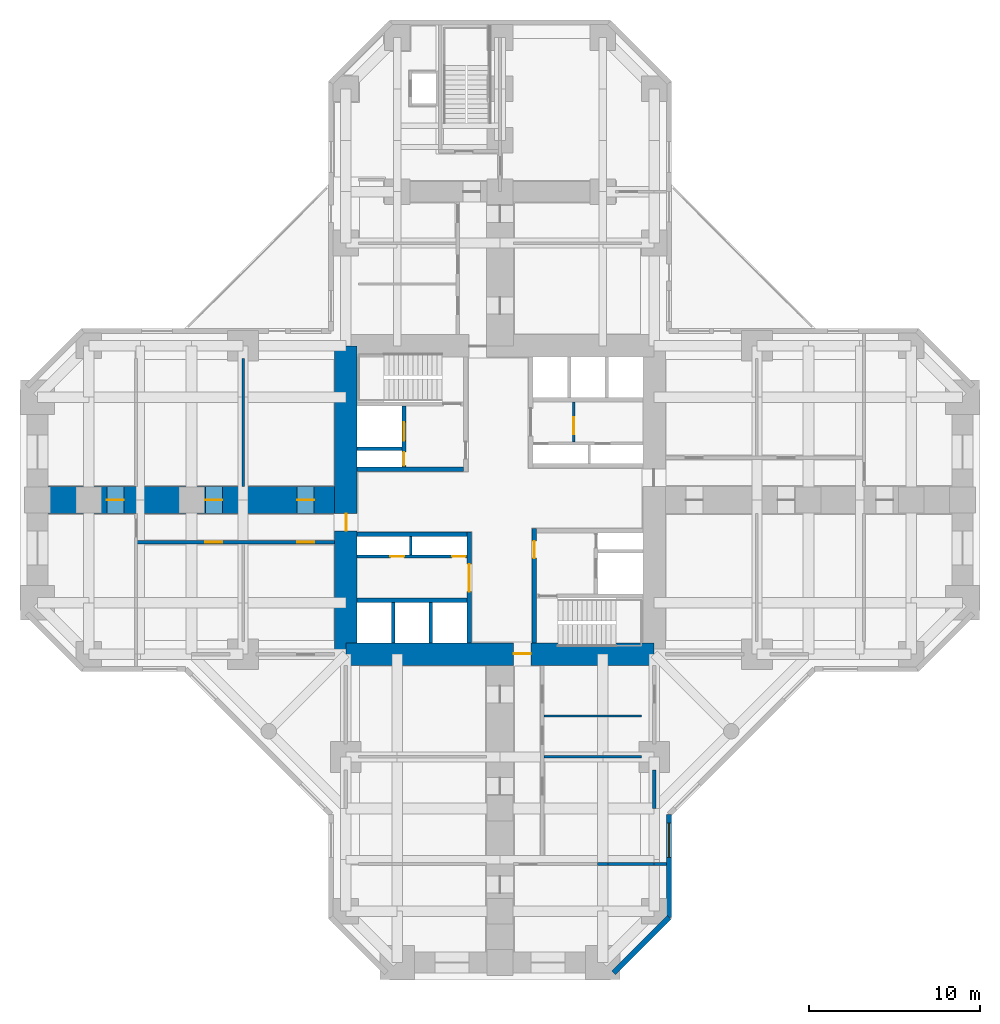
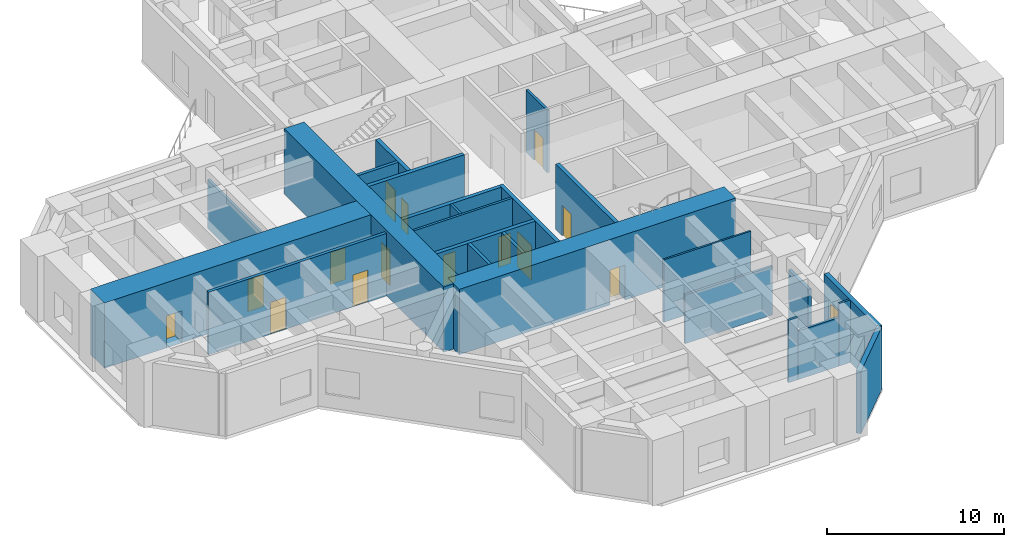
# One storey, part 4 of 10: 25 walls, 14 doors, 1 window, 15 openings.
"""IFC4 building model written with IfcOpenShell, lengths in metres."""

from ifc_helpers import new_model, si_unit, direction, frame, frame_2d, origin, place, context, subcontext, project, spatial, rectangle, hollow_rectangle, extrude, material, layer, layer_set, constituent, constituent_set, type_object, element, fill, save


model = new_model("IFC4")

# Units and contexts
model_context = context("Model", 3, precision=1e-05, world=origin(), true_north=direction((0.0, 1.0)))
body_context = subcontext(model_context, "Body", "Model", "MODEL_VIEW")
ifc_project = project(units=[si_unit("LENGTHUNIT", "METRE"), si_unit("AREAUNIT", "SQUARE_METRE"), si_unit("VOLUMEUNIT", "CUBIC_METRE"), si_unit("PLANEANGLEUNIT", "RADIAN"), si_unit("MASSUNIT", "GRAM", prefix="KILO")], contexts=[model_context])

# Site, building, storey
site_placement = place(None, origin())
site = spatial("IfcSite", under=ifc_project, at=site_placement, CompositionType="ELEMENT")
building_placement = place(site_placement, origin())
building = spatial("IfcBuilding", under=site, at=building_placement, Name="Torre Cruceta", CompositionType="ELEMENT")
storey_placement = place(building_placement, frame((0.0, 0.0, 5.0)))
storey = spatial("IfcBuildingStorey", under=building, at=storey_placement, Name="L01", CompositionType="ELEMENT", Elevation=5.0)

# Wall
ifc_material_1 = material(Name="Concrete G60 (fck 60 MPa)", Category="concrete")
ifc_layer_1 = layer(ifc_material_1, 0.25)
ifc_layer_set_1 = layer_set([ifc_layer_1], Name="Concrete G60 (fck 60 MPa)")
wall_type_1 = type_object("IfcWallType", Name="CORE INNER WALL 250 G60", PredefinedType="SHEAR", material=ifc_layer_set_1)
wall_1_placement = place(storey_placement, frame((-2.125, 1.800048828125, 0.0), z_axis=(0.0, 0.0, 1.0), x_axis=(-1.0, 0.0, 0.0)))
element("IfcWall", 1, at=wall_1_placement, inside=storey, type_object=wall_type_1, Name="CW4 L01 NW-CV", PredefinedType="SHEAR", context=body_context, shape_type="SweptSolid", body=[
    extrude(rectangle(XDim=6.22509765625, YDim=0.25, at=frame_2d((3.112548828125, 0.0))), origin(), (0.0, 0.0, 1.0), 4.5),
])

# Wall, openings, doors
wall_2_placement = place(storey_placement, frame((-5.60009765625, 1.925048828125, 0.0), z_axis=(0.0, 0.0, 1.0), x_axis=(0.0, 1.0, 0.0)))
wall_2 = element("IfcWall", 2, at=wall_2_placement, inside=storey, type_object=wall_type_1, Name="CW4 L01 NW-FU", PredefinedType="SHEAR", context=body_context, shape_type="SweptSolid", body=[
    extrude(rectangle(XDim=3.550048828125, YDim=0.25, at=frame_2d((1.77490234375, 0.0))), origin(), (0.0, 0.0, 1.0), 4.5),
])
opening_1_placement = place(wall_2_placement, frame((1.52490234375, 0.0, 0.0)))
opening_1 = element("IfcOpeningElement", 3, at=opening_1_placement, cuts=wall_2, Name="Opening LD1", PredefinedType="OPENING", context=body_context, shape_type="SweptSolid", body=[
    extrude(rectangle(XDim=1.10009765625, YDim=2.199951171875, at=frame_2d((0.550048828125, 1.10009765625))), frame((0.0, 0.135009765625, 0.0), z_axis=(0.0, -1.0, 0.0), x_axis=(1.0, 0.0, 0.0)), (0.0, 0.0, 1.0), 0.27001953125),
])
opening_2_placement = place(wall_2_placement, frame((0.074951171875, 0.0, 0.0)))
opening_2 = element("IfcOpeningElement", 4, at=opening_2_placement, cuts=wall_2, Name="Opening D5", PredefinedType="OPENING", context=body_context, shape_type="SweptSolid", body=[
    extrude(rectangle(XDim=0.800048828125, YDim=2.10009765625, at=frame_2d((0.39990234375, 1.050048828125))), frame((0.0, 0.135009765625, 0.0), z_axis=(0.0, -1.0, 0.0), x_axis=(1.0, 0.0, 0.0)), (0.0, 0.0, 1.0), 0.27001953125),
])
ifc_material_2 = material(Name="Stainless steel 1.4401", Category="steel")
door_type_1 = type_object("IfcDoorType", Name="LIFT LANDING DOOR 1100X2200", OperationType="DOUBLE_DOOR_SLIDING", PredefinedType="DOOR", material=ifc_material_2)
door_1_placement = place(opening_1_placement, origin())
door_1 = element("IfcDoor", 5, at=door_1_placement, inside=storey, type_object=door_type_1, Name="Lift landing door FL1", OperationType="DOUBLE_DOOR_SLIDING", OverallHeight=2.199951171875, OverallWidth=1.10009765625, PredefinedType="DOOR", context=body_context, shape_type="SweptSolid", body=[
    extrude(rectangle(XDim=1.10009765625, YDim=2.199951171875, at=frame_2d((0.550048828125, 1.10009765625))), frame((0.0, 0.02490234375, 0.0), z_axis=(0.0, -1.0, 0.0), x_axis=(1.0, 0.0, 0.0)), (0.0, 0.0, 1.0), 0.050048828125),
])
fill(opening_1, door_1)
ifc_material_3 = material(Name="Steel DX51D", Category="steel")
ifc_constituent_1 = constituent(ifc_material_3, Name="Leaf and frame")
ifc_material_4 = material(Name="Polyester powder coating", Category="paint")
ifc_constituent_2 = constituent(ifc_material_4, Name="Finish")
ifc_constituent_set_1 = constituent_set(constituents=[ifc_constituent_1, ifc_constituent_2], Name="Steel fire door")
door_type_2 = type_object("IfcDoorType", Name="RISER ACCESS DOOR 800X2100", OperationType="SINGLE_SWING_LEFT", PredefinedType="DOOR", material=ifc_constituent_set_1)
door_2_placement = place(opening_2_placement, origin())
door_2 = element("IfcDoor", 6, at=door_2_placement, inside=storey, type_object=door_type_2, Name="D5 L01 NW-RISER", OperationType="SINGLE_SWING_LEFT", OverallHeight=2.10009765625, OverallWidth=0.800048828125, PredefinedType="DOOR", context=body_context, shape_type="SweptSolid", body=[
    extrude(rectangle(XDim=0.800048828125, YDim=2.10009765625, at=frame_2d((0.39990234375, 1.050048828125))), frame((0.0, 0.02490234375, 0.0), z_axis=(0.0, -1.0, 0.0), x_axis=(1.0, 0.0, 0.0)), (0.0, 0.0, 1.0), 0.050048828125),
])
fill(opening_2, door_2)

# Wall, opening, door
wall_3_placement = place(storey_placement, frame((-1.800048828125, -1.875, 0.0), z_axis=(0.0, 0.0, 1.0), x_axis=(0.0, -1.0, 0.0)))
wall_3 = element("IfcWall", 7, at=wall_3_placement, inside=storey, type_object=wall_type_1, Name="CW4 L01 SW-CU", PredefinedType="SHEAR", context=body_context, shape_type="SweptSolid", body=[
    extrude(rectangle(XDim=6.47509765625, YDim=0.25, at=frame_2d((3.237548828125, 0.0))), origin(), (0.0, 0.0, 1.0), 4.5),
])
opening_3_placement = place(wall_3_placement, frame((1.875, 0.0, 0.0)))
opening_3 = element("IfcOpeningElement", 8, at=opening_3_placement, cuts=wall_3, Name="Opening D15", PredefinedType="OPENING", context=body_context, shape_type="SweptSolid", body=[
    extrude(rectangle(XDim=1.60009765625, YDim=2.39990234375, at=frame_2d((0.800048828125, 1.199951171875))), frame((0.0, 0.135009765625, 0.0), z_axis=(0.0, -1.0, 0.0), x_axis=(1.0, 0.0, 0.0)), (0.0, 0.0, 1.0), 0.27001953125),
])
ifc_material_5 = material(Name="Steel DX51D", Category="steel")
ifc_constituent_3 = constituent(ifc_material_5, Name="Leaf and frame")
ifc_material_6 = material(Name="Polyester powder coating", Category="paint")
ifc_constituent_4 = constituent(ifc_material_6, Name="Finish")
ifc_constituent_set_2 = constituent_set(constituents=[ifc_constituent_3, ifc_constituent_4], Name="Steel fire door")
door_type_3 = type_object("IfcDoorType", Name="CORE ROOM DOUBLE DOOR 1600X2400", OperationType="DOUBLE_DOOR_SINGLE_SWING", PredefinedType="DOOR", material=ifc_constituent_set_2)
door_3_placement = place(opening_3_placement, frame((1.60009765625, 0.0, 0.0), z_axis=(0.0, 0.0, 1.0), x_axis=(-1.0, 0.0, 0.0)))
door_3 = element("IfcDoor", 9, at=door_3_placement, inside=storey, type_object=door_type_3, Name="D15 L01 SW-LOBBY", OperationType="DOUBLE_DOOR_SINGLE_SWING", OverallHeight=2.39990234375, OverallWidth=1.60009765625, PredefinedType="DOOR", context=body_context, shape_type="SweptSolid", body=[
    extrude(rectangle(XDim=1.60009765625, YDim=2.39990234375, at=frame_2d((0.800048828125, 1.199951171875))), frame((0.0, 0.025146484375, 0.0), z_axis=(0.0, -1.0, 0.0), x_axis=(1.0, 0.0, 0.0)), (0.0, 0.0, 1.0), 0.050048828125),
])
fill(opening_3, door_3)

# Walls
for number, where, z_axis, x_axis, name in (
    (10, (-1.925048828125, -2.0, 0.0), (0.0, 0.0, 1.0), (-1.0, 0.0, 0.0), "CW4 L01 SW-CV"),
    (11, (-1.925048828125, -5.85009765625, 0.0), (0.0, 0.0, 1.0), (-1.0, 0.0, 0.0), "CW4 L01 SW-LV"),
):
    element("IfcWall", number, at=place(storey_placement, frame(where, z_axis=z_axis, x_axis=x_axis)), inside=storey, type_object=wall_type_1, Name=name, PredefinedType="SHEAR", context=body_context, shape_type="SweptSolid", body=[
        extrude(rectangle(XDim=6.425048828125, YDim=0.25, at=frame_2d((3.21240234375, 0.0))), origin(), (0.0, 0.0, 1.0), 4.5),
    ])

# Wall, opening, door
wall_4_placement = place(storey_placement, frame((2.0, -1.675048828125, 0.0), z_axis=(0.0, 0.0, 1.0), x_axis=(0.0, -1.0, 0.0)))
wall_4 = element("IfcWall", 12, at=wall_4_placement, inside=storey, type_object=wall_type_1, Name="CW4 L01 SE-CU", PredefinedType="SHEAR", context=body_context, shape_type="SweptSolid", body=[
    extrude(rectangle(XDim=6.675048828125, YDim=0.25, at=frame_2d((3.33740234375, 0.0))), origin(), (0.0, 0.0, 1.0), 4.5),
])
opening_4_placement = place(wall_4_placement, frame((0.72509765625, 0.0, 0.0)))
opening_4 = element("IfcOpeningElement", 13, at=opening_4_placement, cuts=wall_4, Name="Opening D3", PredefinedType="OPENING", context=body_context, shape_type="SweptSolid", body=[
    extrude(rectangle(XDim=1.0, YDim=2.10009765625, at=frame_2d((0.5, 1.050048828125))), frame((0.0, 0.135009765625, 0.0), z_axis=(0.0, -1.0, 0.0), x_axis=(1.0, 0.0, 0.0)), (0.0, 0.0, 1.0), 0.27001953125),
])
ifc_material_7 = material(Name="Steel DX51D", Category="steel")
ifc_constituent_5 = constituent(ifc_material_7, Name="Leaf and frame")
ifc_material_8 = material(Name="Polyester powder coating", Category="paint")
ifc_constituent_6 = constituent(ifc_material_8, Name="Finish")
ifc_constituent_set_3 = constituent_set(constituents=[ifc_constituent_5, ifc_constituent_6], Name="Steel fire door")
door_type_4 = type_object("IfcDoorType", Name="FIRE DOOR 1000X2100", OperationType="SINGLE_SWING_LEFT", PredefinedType="DOOR", material=ifc_constituent_set_3)
door_4_placement = place(opening_4_placement, origin())
door_4 = element("IfcDoor", 14, at=door_4_placement, inside=storey, type_object=door_type_4, Name="D3 L01 SE-LOBBY", OperationType="SINGLE_SWING_LEFT", OverallHeight=2.10009765625, OverallWidth=1.0, PredefinedType="DOOR", context=body_context, shape_type="SweptSolid", body=[
    extrude(rectangle(XDim=1.0, YDim=2.10009765625, at=frame_2d((0.5, 1.050048828125))), frame((0.0, 0.02490234375, 0.0), z_axis=(0.0, -1.0, 0.0), x_axis=(1.0, 0.0, 0.0)), (0.0, 0.0, 1.0), 0.050048828125),
])
fill(opening_4, door_4)

ifc_material_9 = material(Name="Concrete G60 (fck 60 MPa)", Category="concrete")
ifc_layer_2 = layer(ifc_material_9, 1.300048828125)
ifc_layer_set_2 = layer_set([ifc_layer_2], Name="Concrete G60 (fck 60 MPa)")
wall_type_2 = type_object("IfcWallType", Name="CORE WALL 1300 G60", PredefinedType="SHEAR", material=ifc_layer_set_2)
wall_5_placement = place(storey_placement, frame((-9.0, -9.0, 0.0), z_axis=(0.0, 0.0, 1.0), x_axis=(1.0, 0.0, 0.0)))
wall_5 = element("IfcWall", 15, at=wall_5_placement, inside=storey, type_object=wall_type_2, Name="CW1 L01 CW-S", PredefinedType="SHEAR", context=body_context, shape_type="SweptSolid", body=[
    extrude(rectangle(XDim=18.0, YDim=1.300048828125, at=frame_2d((9.0, 0.0))), origin(), (0.0, 0.0, 1.0), 4.5),
])
opening_5_placement = place(wall_5_placement, frame((9.800048828125, 0.0, 0.0)))
opening_5 = element("IfcOpeningElement", 16, at=opening_5_placement, cuts=wall_5, Name="Opening D4", PredefinedType="OPENING", context=body_context, shape_type="SweptSolid", body=[
    extrude(rectangle(XDim=1.0, YDim=2.39990234375, at=frame_2d((0.5, 1.199951171875))), frame((0.0, 0.659912109375, 0.0), z_axis=(0.0, -1.0, 0.0), x_axis=(1.0, 0.0, 0.0)), (0.0, 0.0, 1.0), 1.320068359375),
])
ifc_material_10 = material(Name="Steel DX51D", Category="steel")
ifc_constituent_7 = constituent(ifc_material_10, Name="Leaf and frame")
ifc_material_11 = material(Name="Polyester powder coating", Category="paint")
ifc_constituent_8 = constituent(ifc_material_11, Name="Finish")
ifc_constituent_set_4 = constituent_set(constituents=[ifc_constituent_7, ifc_constituent_8], Name="Steel fire door")
door_type_5 = type_object("IfcDoorType", Name="CORE ARM DOOR 1000X2400", OperationType="SINGLE_SWING_RIGHT", PredefinedType="DOOR", material=ifc_constituent_set_4)
door_5_placement = place(opening_5_placement, origin())
door_5 = element("IfcDoor", 17, at=door_5_placement, inside=storey, type_object=door_type_5, Name="D4 L01 CW-S", OperationType="SINGLE_SWING_RIGHT", OverallHeight=2.39990234375, OverallWidth=1.0, PredefinedType="DOOR", context=body_context, shape_type="SweptSolid", body=[
    extrude(rectangle(XDim=1.0, YDim=2.39990234375, at=frame_2d((0.5, 1.199951171875))), frame((0.0, 0.05517578125, 0.0), z_axis=(0.0, -1.0, 0.0), x_axis=(1.0, 0.0, 0.0)), (0.0, 0.0, 1.0), 0.050048828125),
])
fill(opening_5, door_5)

wall_6_placement = place(storey_placement, frame((-9.0, 9.0, 0.0), z_axis=(0.0, 0.0, 1.0), x_axis=(0.0, -1.0, 0.0)))
wall_6 = element("IfcWall", 18, at=wall_6_placement, inside=storey, type_object=wall_type_2, Name="CW1 L01 CW-W", PredefinedType="SHEAR", context=body_context, shape_type="SweptSolid", body=[
    extrude(rectangle(XDim=18.0, YDim=1.300048828125, at=frame_2d((9.0, 0.0))), origin(), (0.0, 0.0, 1.0), 4.5),
])
opening_6_placement = place(wall_6_placement, frame((9.800048828125, 0.0, 0.0)))
opening_6 = element("IfcOpeningElement", 19, at=opening_6_placement, cuts=wall_6, Name="Opening D4", PredefinedType="OPENING", context=body_context, shape_type="SweptSolid", body=[
    extrude(rectangle(XDim=1.0, YDim=2.39990234375, at=frame_2d((0.5, 1.199951171875))), frame((0.0, 0.659912109375, 0.0), z_axis=(0.0, -1.0, 0.0), x_axis=(1.0, 0.0, 0.0)), (0.0, 0.0, 1.0), 1.320068359375),
])
door_6_placement = place(opening_6_placement, origin())
door_6 = element("IfcDoor", 20, at=door_6_placement, inside=storey, type_object=door_type_5, Name="D4 L01 CW-W", OperationType="SINGLE_SWING_RIGHT", OverallHeight=2.39990234375, OverallWidth=1.0, PredefinedType="DOOR", context=body_context, shape_type="SweptSolid", body=[
    extrude(rectangle(XDim=1.0, YDim=2.39990234375, at=frame_2d((0.5, 1.199951171875))), frame((0.0, 0.05517578125, 0.0), z_axis=(0.0, -1.0, 0.0), x_axis=(1.0, 0.0, 0.0)), (0.0, 0.0, 1.0), 0.050048828125),
])
fill(opening_6, door_6)

# Wall, openings, doors
ifc_material_12 = material(Name="Concrete G25 (fck 25 MPa)", Category="concrete")
ifc_layer_3 = layer(ifc_material_12, 0.199951171875)
ifc_layer_set_3 = layer_set([ifc_layer_3], Name="Concrete G25 (fck 25 MPa)")
wall_type_3 = type_object("IfcWallType", Name="CORRIDOR WALL 200", PredefinedType="SOLIDWALL", material=ifc_layer_set_3)
wall_7_placement = place(storey_placement, frame((-9.64990234375, -2.47509765625, 0.0), z_axis=(0.0, 0.0, 1.0), x_axis=(-1.0, 0.0, 0.0)))
wall_7 = element("IfcWall", 21, at=wall_7_placement, inside=storey, type_object=wall_type_3, Name="PT3 L01-W-CL", PredefinedType="SOLIDWALL", context=body_context, shape_type="SweptSolid", body=[
    extrude(rectangle(XDim=11.60009765625, YDim=0.199951171875, at=frame_2d((5.800048828125, 0.0))), origin(), (0.0, 0.0, 1.0), 4.300048828125),
])
opening_7_placement = place(wall_7_placement, frame((1.199951171875, 0.0, 0.0)))
opening_7 = element("IfcOpeningElement", 22, at=opening_7_placement, cuts=wall_7, Name="Opening D14", PredefinedType="OPENING", context=body_context, shape_type="SweptSolid", body=[
    extrude(rectangle(XDim=1.0, YDim=2.199951171875, at=frame_2d((0.5, 1.10009765625))), frame((0.0, 0.10986328125, 0.0), z_axis=(0.0, -1.0, 0.0), x_axis=(1.0, 0.0, 0.0)), (0.0, 0.0, 1.0), 0.219970703125),
])
opening_8_placement = place(wall_7_placement, frame((6.550048828125, 0.0, 0.0)))
opening_8 = element("IfcOpeningElement", 23, at=opening_8_placement, cuts=wall_7, Name="Opening D14", PredefinedType="OPENING", context=body_context, shape_type="SweptSolid", body=[
    extrude(rectangle(XDim=1.0, YDim=2.199951171875, at=frame_2d((0.5, 1.10009765625))), frame((0.0, 0.10986328125, 0.0), z_axis=(0.0, -1.0, 0.0), x_axis=(1.0, 0.0, 0.0)), (0.0, 0.0, 1.0), 0.219970703125),
])
ifc_material_13 = material(Name="Steel DX51D", Category="steel")
ifc_constituent_9 = constituent(ifc_material_13, Name="Leaf and frame")
ifc_material_14 = material(Name="Polyester powder coating", Category="paint")
ifc_constituent_10 = constituent(ifc_material_14, Name="Finish")
ifc_material_15 = material(Name="Fire-resisting glass", Category="glass")
ifc_constituent_11 = constituent(ifc_material_15, Name="Vision panel")
ifc_constituent_set_5 = constituent_set(constituents=[ifc_constituent_9, ifc_constituent_10, ifc_constituent_11], Name="Steel fire door with vision panel")
door_type_6 = type_object("IfcDoorType", Name="FIRE DOOR VISION PANEL 1000X2200", OperationType="SINGLE_SWING_RIGHT", PredefinedType="DOOR", material=ifc_constituent_set_5)
door_7_placement = place(opening_7_placement, origin())
door_7 = element("IfcDoor", 24, at=door_7_placement, inside=storey, type_object=door_type_6, Name="D14 L01-W-CL-D1", OperationType="SINGLE_SWING_LEFT", OverallHeight=2.199951171875, OverallWidth=1.0, PredefinedType="DOOR", context=body_context, shape_type="SweptSolid", body=[
    extrude(rectangle(XDim=1.0, YDim=2.199951171875, at=frame_2d((0.5, 1.10009765625))), frame((0.0, 0.02490234375, 0.0), z_axis=(0.0, -1.0, 0.0), x_axis=(1.0, 0.0, 0.0)), (0.0, 0.0, 1.0), 0.050048828125),
])
fill(opening_7, door_7)
door_8_placement = place(opening_8_placement, origin())
door_8 = element("IfcDoor", 25, at=door_8_placement, inside=storey, type_object=door_type_6, Name="D14 L01-W-CL-D2", OperationType="SINGLE_SWING_LEFT", OverallHeight=2.199951171875, OverallWidth=1.0, PredefinedType="DOOR", context=body_context, shape_type="SweptSolid", body=[
    extrude(rectangle(XDim=1.0, YDim=2.199951171875, at=frame_2d((0.5, 1.10009765625))), frame((0.0, 0.02490234375, 0.0), z_axis=(0.0, -1.0, 0.0), x_axis=(1.0, 0.0, 0.0)), (0.0, 0.0, 1.0), 0.050048828125),
])
fill(opening_8, door_8)

# Wall
ifc_material_16 = material(Name="Concrete G30 (fck 30 MPa)", Category="concrete")
ifc_layer_4 = layer(ifc_material_16, 0.300048828125)
ifc_layer_set_4 = layer_set([ifc_layer_4], Name="Concrete G30 (fck 30 MPa)")
wall_type_4 = type_object("IfcWallType", Name="EXPOSED CONCRETE FACADE WALL 300", PredefinedType="SOLIDWALL", material=ifc_layer_set_4)
wall_8_placement = place(storey_placement, frame((6.63037109375, -27.60009765625, 0.0), z_axis=(0.0, 0.0, 1.0), x_axis=(0.707106781187, 0.707106781187, 0.0)))
element("IfcWall", 26, at=wall_8_placement, inside=storey, type_object=wall_type_4, Name="EW1 facade wall L01 S chamfer 19", PredefinedType="SOLIDWALL", context=body_context, shape_type="SweptSolid", body=[
    extrude(rectangle(XDim=4.581787109375, YDim=0.300048828125, at=frame_2d((2.291015625, 0.0))), origin(), (0.0, 0.0, 1.0), 4.300048828125),
])

# Wall, opening, window
wall_9_placement = place(storey_placement, frame((9.8701171875, -24.3603515625, 0.0), z_axis=(0.0, 0.0, 1.0), x_axis=(0.0, 1.0, 0.0)))
wall_9 = element("IfcWall", 27, at=wall_9_placement, inside=storey, type_object=wall_type_4, Name="EW1 facade wall L01 S side 20", PredefinedType="SOLIDWALL", context=body_context, shape_type="SweptSolid", body=[
    extrude(rectangle(XDim=6.0, YDim=0.300048828125, at=frame_2d((3.0, 0.0))), origin(), (0.0, 0.0, 1.0), 4.300048828125),
])
opening_9_placement = place(wall_9_placement, frame((3.5, 0.0, 0.89990234375)))
opening_9 = element("IfcOpeningElement", 28, at=opening_9_placement, cuts=wall_9, Name="Opening WN1", PredefinedType="OPENING", context=body_context, shape_type="SweptSolid", body=[
    extrude(rectangle(XDim=2.0, YDim=1.800048828125, at=frame_2d((1.0, 0.89990234375))), frame((0.0, 0.159912109375, 0.0), z_axis=(0.0, -1.0, 0.0), x_axis=(1.0, 0.0, 0.0)), (0.0, 0.0, 1.0), 0.320068359375),
])
ifc_material_17 = material(Name="Aluminium window frame", Category="aluminium")
ifc_constituent_12 = constituent(ifc_material_17, Name="Frame")
ifc_material_18 = material(Name="Laminated insulating glass unit, low-iron clear", Category="glass")
ifc_constituent_13 = constituent(ifc_material_18, Name="Glazing")
ifc_constituent_set_6 = constituent_set(constituents=[ifc_constituent_12, ifc_constituent_13], Name="Aluminium window")
window_type = type_object("IfcWindowType", Name="SCHOOL WINDOW 2000X1800", PartitioningType="SINGLE_PANEL", PredefinedType="WINDOW", material=ifc_constituent_set_6)
window_placement = place(opening_9_placement, origin())
window = element("IfcWindow", 29, at=window_placement, inside=storey, type_object=window_type, Name="WN1 L01 S 2", OverallHeight=1.800048828125, OverallWidth=2.0, PartitioningType="SINGLE_PANEL", PredefinedType="WINDOW", context=body_context, shape_type="SweptSolid", body=[
    extrude(hollow_rectangle(XDim=2.0, YDim=1.800048828125, WallThickness=0.06005859375, at=frame_2d((1.0, 0.89990234375))), frame((0.0, 0.030029296875, 0.0), z_axis=(0.0, -1.0, 0.0), x_axis=(1.0, 0.0, 0.0)), (0.0, 0.0, 1.0), 0.06005859375),
    extrude(rectangle(XDim=1.87890625, YDim=1.678955078125, at=frame_2d((1.0, 0.89990234375))), frame((0.0, 0.030029296875, 0.0), z_axis=(0.0, -1.0, 0.0), x_axis=(1.0, 0.0, 0.0)), (0.0, 0.0, 1.0), 0.06005859375),
])
fill(opening_9, window)

# Walls
ifc_material_19 = material(Name="Concrete G35 (fck 35 MPa)", Category="concrete")
ifc_layer_5 = layer(ifc_material_19, 0.199951171875)
ifc_layer_set_5 = layer_set([ifc_layer_5], Name="Concrete G35 (fck 35 MPa)")
wall_type_5 = type_object("IfcWallType", Name="LIFT SHAFT WALL 200", PredefinedType="PARTITIONING", material=ifc_layer_set_5)
wall_10_placement = place(storey_placement, frame((-5.72509765625, 3.0, 0.0), z_axis=(0.0, 0.0, 1.0), x_axis=(-1.0, 0.0, 0.0)))
element("IfcWall", 30, at=wall_10_placement, inside=storey, type_object=wall_type_5, Name="SW1 L01 NW-FR", PredefinedType="PARTITIONING", context=body_context, shape_type="SweptSolid", body=[
    extrude(rectangle(XDim=2.625, YDim=0.199951171875, at=frame_2d((1.3125, 0.0))), origin(), (0.0, 0.0, 1.0), 4.5),
])
for number, where, z_axis, x_axis, name in (
    (31, (-4.033447265625, -5.97509765625, 0.0), (0.0, 0.0, 1.0), (0.0, -1.0, 0.0), "SW1 L01 SW-LS1"),
    (32, (-6.24169921875, -5.97509765625, 0.0), (0.0, 0.0, 1.0), (0.0, -1.0, 0.0), "SW1 L01 SW-LS2"),
):
    element("IfcWall", number, at=place(storey_placement, frame(where, z_axis=z_axis, x_axis=x_axis)), inside=storey, type_object=wall_type_5, Name=name, PredefinedType="PARTITIONING", context=body_context, shape_type="SweptSolid", body=[
        extrude(rectangle(XDim=2.375, YDim=0.199951171875, at=frame_2d((1.1875, 0.0))), origin(), (0.0, 0.0, 1.0), 4.5),
    ])

# Wall, opening, door
ifc_material_20 = material(Name="Plasterboard on steel studs", Category="steel")
ifc_layer_6 = layer(ifc_material_20, 0.14990234375)
ifc_layer_set_6 = layer_set([ifc_layer_6], Name="Plasterboard on steel studs")
wall_type_6 = type_object("IfcWallType", Name="PARTITION 150", PredefinedType="PARTITIONING", material=ifc_layer_set_6)
wall_11_placement = place(storey_placement, frame((4.300048828125, 3.375, 0.0), z_axis=(0.0, 0.0, 1.0), x_axis=(0.0, 1.0, 0.0)))
wall_11 = element("IfcWall", 33, at=wall_11_placement, inside=storey, type_object=wall_type_6, Name="PT1 L01-CORE-NE-X", PredefinedType="PARTITIONING", context=body_context, shape_type="SweptSolid", body=[
    extrude(rectangle(XDim=2.35009765625, YDim=0.14990234375, at=frame_2d((1.175048828125, 0.0))), origin(), (0.0, 0.0, 1.0), 4.300048828125),
])
opening_10_placement = place(wall_11_placement, frame((0.449951171875, 0.0, 0.0)))
opening_10 = element("IfcOpeningElement", 34, at=opening_10_placement, cuts=wall_11, Name="Opening D3", PredefinedType="OPENING", context=body_context, shape_type="SweptSolid", body=[
    extrude(rectangle(XDim=1.0, YDim=2.10009765625, at=frame_2d((0.5, 1.050048828125))), frame((0.0, 0.0849609375, 0.0), z_axis=(0.0, -1.0, 0.0), x_axis=(1.0, 0.0, 0.0)), (0.0, 0.0, 1.0), 0.169921875),
])
door_9_placement = place(opening_10_placement, origin())
door_9 = element("IfcDoor", 35, at=door_9_placement, inside=storey, type_object=door_type_4, Name="D3 L01-CORE-NE-X-D1", OperationType="SINGLE_SWING_LEFT", OverallHeight=2.10009765625, OverallWidth=1.0, PredefinedType="DOOR", context=body_context, shape_type="SweptSolid", body=[
    extrude(rectangle(XDim=1.0, YDim=2.10009765625, at=frame_2d((0.5, 1.050048828125))), frame((0.0, 0.02490234375, 0.0), z_axis=(0.0, -1.0, 0.0), x_axis=(1.0, 0.0, 0.0)), (0.0, 0.0, 1.0), 0.050048828125),
])
fill(opening_10, door_9)

# Walls
wall_12_placement = place(storey_placement, frame((2.574951171875, -15.0, 0.0), z_axis=(0.0, 0.0, 1.0), x_axis=(1.0, 0.0, 0.0)))
element("IfcWall", 36, at=wall_12_placement, inside=storey, type_object=wall_type_6, Name="PT1 L01-S-P1L", PredefinedType="PARTITIONING", context=body_context, shape_type="SweptSolid", body=[
    extrude(rectangle(XDim=5.675048828125, YDim=0.14990234375, at=frame_2d((2.83740234375, 0.0))), origin(), (0.0, 0.0, 1.0), 3.35009765625),
])
wall_13_placement = place(storey_placement, frame((5.699951171875, -21.25, 0.0), z_axis=(0.0, 0.0, 1.0), x_axis=(1.0, 0.0, 0.0)))
element("IfcWall", 37, at=wall_13_placement, inside=storey, type_object=wall_type_6, Name="PT1 L01-S-ENDb 2", PredefinedType="PARTITIONING", context=body_context, shape_type="SweptSolid", body=[
    extrude(rectangle(XDim=0.60009765625, YDim=0.14990234375, at=frame_2d((0.300048828125, 0.0))), origin(), (0.0, 0.0, 1.0), 4.300048828125),
])
wall_14_placement = place(storey_placement, frame((6.300048828125, -21.25, 0.0), z_axis=(0.0, 0.0, 1.0), x_axis=(1.0, 0.0, 0.0)))
element("IfcWall", 38, at=wall_14_placement, inside=storey, type_object=wall_type_6, Name="PT1 L01-S-ENDb 3", PredefinedType="PARTITIONING", context=body_context, shape_type="SweptSolid", body=[
    extrude(rectangle(XDim=2.699951171875, YDim=0.14990234375, at=frame_2d((1.35009765625, 0.0))), origin(), (0.0, 0.0, 1.0), 3.35009765625),
])
wall_15_placement = place(storey_placement, frame((9.0, -21.25, 0.0), z_axis=(0.0, 0.0, 1.0), x_axis=(1.0, 0.0, 0.0)))
element("IfcWall", 39, at=wall_15_placement, inside=storey, type_object=wall_type_6, Name="PT1 L01-S-ENDb 4", PredefinedType="PARTITIONING", context=body_context, shape_type="SweptSolid", body=[
    extrude(rectangle(XDim=0.719970703125, YDim=0.14990234375, at=frame_2d((0.35986328125, 0.0))), origin(), (0.0, 0.0, 1.0), 4.300048828125),
])
wall_16_placement = place(storey_placement, frame((-15.0, 8.25, 0.0), z_axis=(0.0, 0.0, 1.0), x_axis=(0.0, -1.0, 0.0)))
element("IfcWall", 40, at=wall_16_placement, inside=storey, type_object=wall_type_6, Name="PT1 L01-W-P1R", PredefinedType="PARTITIONING", context=body_context, shape_type="SweptSolid", body=[
    extrude(rectangle(XDim=7.449951171875, YDim=0.14990234375, at=frame_2d((3.72509765625, 0.0))), origin(), (0.0, 0.0, 1.0), 3.35009765625),
])

# Wall, openings, doors
ifc_material_21 = material(Name="Concrete block masonry", Category="masonry")
ifc_layer_7 = layer(ifc_material_21, 0.14990234375)
ifc_layer_set_7 = layer_set([ifc_layer_7], Name="Concrete block masonry")
wall_type_7 = type_object("IfcWallType", Name="RISER WALL 150", PredefinedType="PARTITIONING", material=ifc_layer_set_7)
wall_17_placement = place(storey_placement, frame((-1.925048828125, -3.300048828125, 0.0), z_axis=(0.0, 0.0, 1.0), x_axis=(-1.0, 0.0, 0.0)))
wall_17 = element("IfcWall", 41, at=wall_17_placement, inside=storey, type_object=wall_type_7, Name="SW7 L01 SW-RV", PredefinedType="PARTITIONING", context=body_context, shape_type="SweptSolid", body=[
    extrude(rectangle(XDim=6.425048828125, YDim=0.14990234375, at=frame_2d((3.21240234375, 0.0))), origin(), (0.0, 0.0, 1.0), 4.5),
])
opening_11_placement = place(wall_17_placement, frame((0.074951171875, 0.0, 0.0)))
opening_11 = element("IfcOpeningElement", 42, at=opening_11_placement, cuts=wall_17, Name="Opening D5", PredefinedType="OPENING", context=body_context, shape_type="SweptSolid", body=[
    extrude(rectangle(XDim=0.800048828125, YDim=2.10009765625, at=frame_2d((0.39990234375, 1.050048828125))), frame((0.0, 0.0849609375, 0.0), z_axis=(0.0, -1.0, 0.0), x_axis=(1.0, 0.0, 0.0)), (0.0, 0.0, 1.0), 0.169921875),
])
opening_12_placement = place(wall_17_placement, frame((3.675048828125, 0.0, 0.0)))
opening_12 = element("IfcOpeningElement", 43, at=opening_12_placement, cuts=wall_17, Name="Opening D5", PredefinedType="OPENING", context=body_context, shape_type="SweptSolid", body=[
    extrude(rectangle(XDim=0.800048828125, YDim=2.10009765625, at=frame_2d((0.39990234375, 1.050048828125))), frame((0.0, 0.0849609375, 0.0), z_axis=(0.0, -1.0, 0.0), x_axis=(1.0, 0.0, 0.0)), (0.0, 0.0, 1.0), 0.169921875),
])
door_10_placement = place(opening_11_placement, frame((0.800048828125, 0.0, 0.0), z_axis=(0.0, 0.0, 1.0), x_axis=(-1.0, 0.0, 0.0)))
door_10 = element("IfcDoor", 44, at=door_10_placement, inside=storey, type_object=door_type_2, Name="D5 L01 SW-RISER1", OperationType="SINGLE_SWING_RIGHT", OverallHeight=2.10009765625, OverallWidth=0.800048828125, PredefinedType="DOOR", context=body_context, shape_type="SweptSolid", body=[
    extrude(rectangle(XDim=0.800048828125, YDim=2.10009765625, at=frame_2d((0.400146484375, 1.050048828125))), frame((0.0, 0.025146484375, 0.0), z_axis=(0.0, -1.0, 0.0), x_axis=(1.0, 0.0, 0.0)), (0.0, 0.0, 1.0), 0.050048828125),
])
fill(opening_11, door_10)
door_11_placement = place(opening_12_placement, frame((0.800048828125, 0.0, 0.0), z_axis=(0.0, 0.0, 1.0), x_axis=(-1.0, 0.0, 0.0)))
door_11 = element("IfcDoor", 45, at=door_11_placement, inside=storey, type_object=door_type_2, Name="D5 L01 SW-RISER2", OperationType="SINGLE_SWING_RIGHT", OverallHeight=2.10009765625, OverallWidth=0.800048828125, PredefinedType="DOOR", context=body_context, shape_type="SweptSolid", body=[
    extrude(rectangle(XDim=0.800048828125, YDim=2.10009765625, at=frame_2d((0.400146484375, 1.050048828125))), frame((0.0, 0.025146484375, 0.0), z_axis=(0.0, -1.0, 0.0), x_axis=(1.0, 0.0, 0.0)), (0.0, 0.0, 1.0), 0.050048828125),
])
fill(opening_12, door_11)

# Wall
wall_18_placement = place(storey_placement, frame((-5.199951171875, -2.125, 0.0), z_axis=(0.0, 0.0, 1.0), x_axis=(0.0, -1.0, 0.0)))
element("IfcWall", 46, at=wall_18_placement, inside=storey, type_object=wall_type_7, Name="SW7 L01 SW-RU", PredefinedType="PARTITIONING", context=body_context, shape_type="SweptSolid", body=[
    extrude(rectangle(XDim=1.10009765625, YDim=0.14990234375, at=frame_2d((0.550048828125, 0.0))), origin(), (0.0, 0.0, 1.0), 4.5),
])

# Wall, openings, doors
ifc_material_22 = material(Name="Concrete G60 (fck 60 MPa)", Category="concrete")
ifc_layer_8 = layer(ifc_material_22, 1.60009765625)
ifc_layer_set_8 = layer_set([ifc_layer_8], Name="Concrete G60 (fck 60 MPa)")
wall_type_8 = type_object("IfcWallType", Name="SPINE WALL 1600 G60", PredefinedType="SHEAR", material=ifc_layer_set_8)
wall_19_placement = place(storey_placement, frame((-9.0, 0.0, 0.0), z_axis=(0.0, 0.0, 1.0), x_axis=(-1.0, 0.0, 0.0)))
wall_19 = element("IfcWall", 47, at=wall_19_placement, inside=storey, type_object=wall_type_8, Name="SW2 spine wall L01 W", PredefinedType="SHEAR", context=body_context, shape_type="SweptSolid", body=[
    extrude(rectangle(XDim=18.0, YDim=1.60009765625, at=frame_2d((9.0, 0.0))), origin(), (0.0, 0.0, 1.0), 4.5),
])
opening_13_placement = place(wall_19_placement, frame((1.85009765625, 0.0, 0.0)))
opening_13 = element("IfcOpeningElement", 48, at=opening_13_placement, cuts=wall_19, Name="Opening D14", PredefinedType="OPENING", context=body_context, shape_type="SweptSolid", body=[
    extrude(rectangle(XDim=1.0, YDim=2.199951171875, at=frame_2d((0.5, 1.10009765625))), frame((0.0, 0.81005859375, 0.0), z_axis=(0.0, -1.0, 0.0), x_axis=(1.0, 0.0, 0.0)), (0.0, 0.0, 1.0), 1.6201171875),
])
opening_14_placement = place(wall_19_placement, frame((7.199951171875, 0.0, 0.0)))
opening_14 = element("IfcOpeningElement", 49, at=opening_14_placement, cuts=wall_19, Name="Opening D14", PredefinedType="OPENING", context=body_context, shape_type="SweptSolid", body=[
    extrude(rectangle(XDim=1.0, YDim=2.199951171875, at=frame_2d((0.5, 1.10009765625))), frame((0.0, 0.81005859375, 0.0), z_axis=(0.0, -1.0, 0.0), x_axis=(1.0, 0.0, 0.0)), (0.0, 0.0, 1.0), 1.6201171875),
])
opening_15_placement = place(wall_19_placement, frame((12.949951171875, 0.0, 0.0)))
opening_15 = element("IfcOpeningElement", 50, at=opening_15_placement, cuts=wall_19, Name="Opening D14", PredefinedType="OPENING", context=body_context, shape_type="SweptSolid", body=[
    extrude(rectangle(XDim=1.0, YDim=2.199951171875, at=frame_2d((0.5, 1.10009765625))), frame((0.0, 0.81005859375, 0.0), z_axis=(0.0, -1.0, 0.0), x_axis=(1.0, 0.0, 0.0)), (0.0, 0.0, 1.0), 1.6201171875),
])
door_12_placement = place(opening_13_placement, frame((1.0, 0.0, 0.0), z_axis=(0.0, 0.0, 1.0), x_axis=(-1.0, 0.0, 0.0)))
door_12 = element("IfcDoor", 51, at=door_12_placement, inside=storey, type_object=door_type_6, Name="D14 L01-W-SP1", OperationType="SINGLE_SWING_RIGHT", OverallHeight=2.199951171875, OverallWidth=1.0, PredefinedType="DOOR", context=body_context, shape_type="SweptSolid", body=[
    extrude(rectangle(XDim=1.0, YDim=2.199951171875, at=frame_2d((0.5, 1.10009765625))), frame((0.0, 0.025146484375, 0.0), z_axis=(0.0, -1.0, 0.0), x_axis=(1.0, 0.0, 0.0)), (0.0, 0.0, 1.0), 0.050048828125),
])
fill(opening_13, door_12)
door_13_placement = place(opening_14_placement, frame((1.0, 0.0, 0.0), z_axis=(0.0, 0.0, 1.0), x_axis=(-1.0, 0.0, 0.0)))
door_13 = element("IfcDoor", 52, at=door_13_placement, inside=storey, type_object=door_type_6, Name="D14 L01-W-SP2", OperationType="SINGLE_SWING_RIGHT", OverallHeight=2.199951171875, OverallWidth=1.0, PredefinedType="DOOR", context=body_context, shape_type="SweptSolid", body=[
    extrude(rectangle(XDim=1.0, YDim=2.199951171875, at=frame_2d((0.5, 1.10009765625))), frame((0.0, 0.025146484375, 0.0), z_axis=(0.0, -1.0, 0.0), x_axis=(1.0, 0.0, 0.0)), (0.0, 0.0, 1.0), 0.050048828125),
])
fill(opening_14, door_13)
door_14_placement = place(opening_15_placement, origin())
door_14 = element("IfcDoor", 53, at=door_14_placement, inside=storey, type_object=door_type_6, Name="D14 L01-W-SP3", OperationType="SINGLE_SWING_RIGHT", OverallHeight=2.199951171875, OverallWidth=1.0, PredefinedType="DOOR", context=body_context, shape_type="SweptSolid", body=[
    extrude(rectangle(XDim=1.0, YDim=2.199951171875, at=frame_2d((0.5, 1.10009765625))), frame((0.0, 0.02490234375, 0.0), z_axis=(0.0, -1.0, 0.0), x_axis=(1.0, 0.0, 0.0)), (0.0, 0.0, 1.0), 0.050048828125),
])
fill(opening_15, door_14)

# Walls
ifc_material_23 = material(Name="Plasterboard on steel studs", Category="steel")
ifc_layer_9 = layer(ifc_material_23, 0.1201171875)
ifc_layer_set_9 = layer_set([ifc_layer_9], Name="Plasterboard on steel studs")
wall_type_9 = type_object("IfcWallType", Name="WC PARTITION 120", PredefinedType="PLUMBINGWALL", material=ifc_layer_set_9)
wall_20_placement = place(storey_placement, frame((2.574951171875, -12.60009765625, 0.0), z_axis=(0.0, 0.0, 1.0), x_axis=(1.0, 0.0, 0.0)))
element("IfcWall", 54, at=wall_20_placement, inside=storey, type_object=wall_type_9, Name="PT5 L01-S-U1LX", PredefinedType="PLUMBINGWALL", context=body_context, shape_type="SweptSolid", body=[
    extrude(rectangle(XDim=5.675048828125, YDim=0.1201171875, at=frame_2d((2.83740234375, 0.0))), origin(), (0.0, 0.0, 1.0), 4.300048828125),
])
ifc_material_24 = material(Name="Concrete G25 (fck 25 MPa)", Category="concrete")
ifc_layer_10 = layer(ifc_material_24, 0.199951171875)
ifc_layer_set_10 = layer_set([ifc_layer_10], Name="Concrete G25 (fck 25 MPa)")
wall_type_10 = type_object("IfcWallType", Name="WING SEPARATING WALL 200", PredefinedType="SOLIDWALL", material=ifc_layer_set_10)
wall_21_placement = place(storey_placement, frame((9.0, -15.75, 0.0), z_axis=(0.0, 0.0, 1.0), x_axis=(0.0, -1.0, 0.0)))
element("IfcWall", 55, at=wall_21_placement, inside=storey, type_object=wall_type_10, Name="PT6 L01-WING-S-A2", PredefinedType="SOLIDWALL", context=body_context, shape_type="SweptSolid", body=[
    extrude(rectangle(XDim=2.25, YDim=0.199951171875, at=frame_2d((1.125, 0.0))), origin(), (0.0, 0.0, 1.0), 3.300048828125),
])

save(model, "model.ifc")
